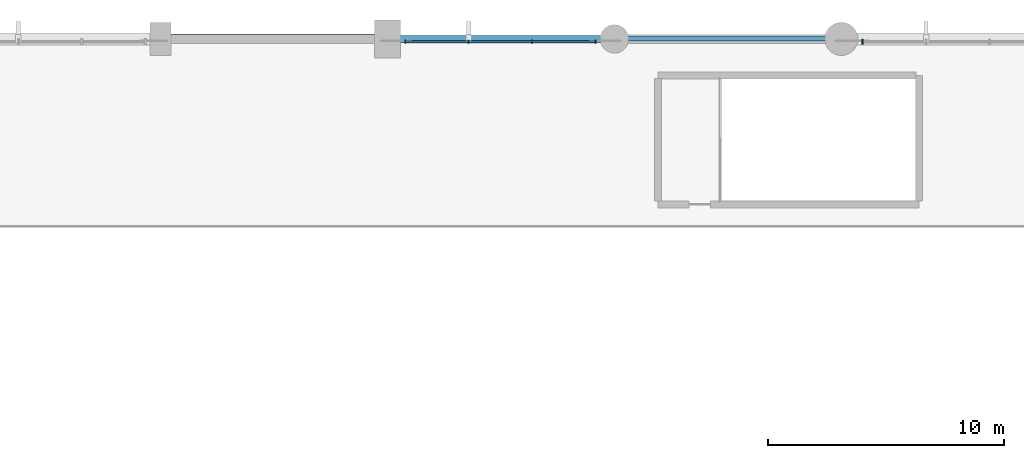
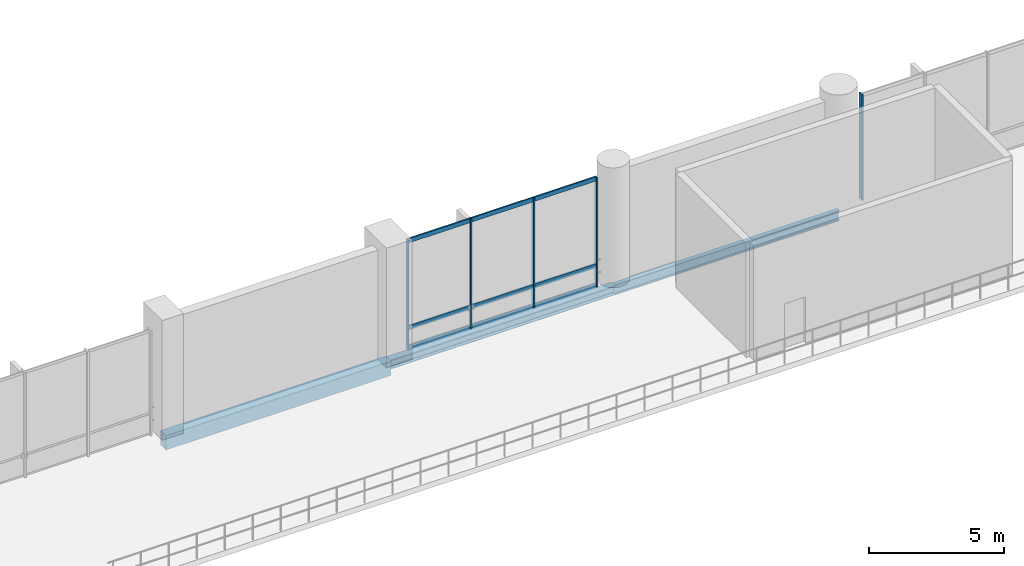
# One storey, part 64 of 129: 8 members, 3 beams, 2 elements without a shape of their own.
"""IFC4 building model written with IfcOpenShell, lengths in metres."""

from ifc_helpers import new_model, si_unit, direction, frame, origin, origin_2d, place, context, subcontext, project, spatial, rectangle, i_section, extrude, material, material_profile, profile_set, type_object, element, aggregate, save


model = new_model("IFC4")

# Units and contexts
model_context = context("Model", 3, precision=1e-05, world=origin(), true_north=direction((0.0, 1.0)))
body_context = subcontext(model_context, "Body", "Model", "MODEL_VIEW")
ifc_project = project(units=[si_unit("LENGTHUNIT", "METRE"), si_unit("AREAUNIT", "SQUARE_METRE"), si_unit("VOLUMEUNIT", "CUBIC_METRE"), si_unit("PLANEANGLEUNIT", "RADIAN"), si_unit("MASSUNIT", "GRAM", prefix="KILO")], contexts=[model_context])

# Site, building, storey
site_placement = place(None, origin())
site = spatial("IfcSite", under=ifc_project, at=site_placement, CompositionType="ELEMENT")
building_placement = place(site_placement, origin())
building = spatial("IfcBuilding", under=site, at=building_placement, Name="Danafjord Basin Convention Centre", CompositionType="ELEMENT")
storey_placement = place(building_placement, frame((0.0, 0.0, 6.0)))
storey = spatial("IfcBuildingStorey", under=building, at=storey_placement, Name="L01", CompositionType="ELEMENT", Elevation=6.0)

# Beams
ifc_material_1 = material(Name="Steel S355", Category="steel")
ifc_material_profile_1 = material_profile(ifc_material_1, i_section(OverallWidth=0.300048828125, OverallDepth=0.39990234375, WebThickness=0.013427734375, FlangeThickness=0.02392578125, FilletRadius=0.027099609375, at=origin_2d()), Name="HEB 400")
ifc_profile_set_1 = profile_set([ifc_material_profile_1], Name="Steel S355")
beam_type_1 = type_object("IfcBeamType", Name="BEAM-SP-HEB400", PredefinedType="SPANDREL", material=ifc_profile_set_1)
beam_1_placement = place(storey_placement, frame((38.39990234375, 144.0, -0.449951171875), z_axis=(1.0, 0.0, 0.0), x_axis=(0.0, 1.0, 0.0)))
element("IfcBeam", 1, at=beam_1_placement, inside=storey, type_object=beam_type_1, Name="L01 girder SP-HEB400", PredefinedType="SPANDREL", context=body_context, shape_type="SweptSolid", body=[
    extrude(i_section(OverallWidth=0.300048828125, OverallDepth=0.39990234375, WebThickness=0.013427734375, FlangeThickness=0.02392578125, FilletRadius=0.027099609375, at=origin_2d()), origin(), (0.0, 0.0, 1.0), 9.60009765625),
])
ifc_material_profile_2 = material_profile(ifc_material_1, i_section(OverallWidth=0.18994140625, OverallDepth=0.449951171875, WebThickness=0.009521484375, FlangeThickness=0.0146484375, FilletRadius=0.02099609375, at=origin_2d()), Name="IPE 450")
ifc_profile_set_2 = profile_set([ifc_material_profile_2], Name="Steel S355")
beam_type_2 = type_object("IfcBeamType", Name="BEAM-SP-IPE450", PredefinedType="SPANDREL", material=ifc_profile_set_2)
beam_2_placement = place(storey_placement, frame((48.0, 144.0, -0.47509765625), z_axis=(1.0, 0.0, 0.0), x_axis=(0.0, 1.0, 0.0)))
element("IfcBeam", 2, at=beam_2_placement, inside=storey, type_object=beam_type_2, Name="L01 girder SP-IPE450", PredefinedType="SPANDREL", context=body_context, shape_type="SweptSolid", body=[
    extrude(i_section(OverallWidth=0.18994140625, OverallDepth=0.449951171875, WebThickness=0.009521484375, FlangeThickness=0.0146484375, FilletRadius=0.02099609375, at=origin_2d()), origin(), (0.0, 0.0, 1.0), 9.60009765625),
])
ifc_material_2 = material(Name="Precast concrete C45/55", Category="concrete")
ifc_material_profile_3 = material_profile(ifc_material_2, rectangle(XDim=0.39990234375, YDim=0.64990234375, at=origin_2d()), Name="PCB 400x650")
ifc_profile_set_3 = profile_set([ifc_material_profile_3], Name="Precast concrete C45/55")
beam_type_3 = type_object("IfcBeamType", Name="BEAM-SP-PCB650", PredefinedType="SPANDREL", material=ifc_profile_set_3)
beam_3_placement = place(storey_placement, frame((28.800048828125, 144.0, -0.574951171875), z_axis=(1.0, 0.0, 0.0), x_axis=(0.0, 1.0, 0.0)))
element("IfcBeam", 3, at=beam_3_placement, inside=storey, type_object=beam_type_3, Name="L01 girder SP-PCB650", PredefinedType="SPANDREL", context=body_context, shape_type="SweptSolid", body=[
    extrude(rectangle(XDim=0.39990234375, YDim=0.64990234375, at=origin_2d()), origin(), (0.0, 0.0, 1.0), 9.599853515625),
])

# Curtain wall, members
ifc_material_3 = material(Name="Anodised aluminium and triple glazing", Category="aluminium")
curtain_wall_type = type_object("IfcCurtainWallType", Name="CW-CW-HALL", PredefinedType="NOTDEFINED", material=ifc_material_3)
curtain_wall_1_placement = place(storey_placement, origin())
curtain_wall_1 = element("IfcCurtainWall", 4, at=curtain_wall_1_placement, inside=storey, type_object=curtain_wall_type, Name="L01 CW-HALL unitised curtain wall bay 5", PredefinedType="NOTDEFINED")
ifc_material_4 = material(Name="Anodised aluminium EN AW-6060", Category="aluminium")
ifc_material_profile_4 = material_profile(ifc_material_4, rectangle(XDim=0.06005859375, YDim=0.139892578125, at=origin_2d()), Name="MULL 60x140")
ifc_profile_set_4 = profile_set([ifc_material_profile_4], Name="Anodised aluminium EN AW-6060")
member_type_1 = type_object("IfcMemberType", Name="MEM-ML-140", PredefinedType="MULLION", material=ifc_profile_set_4)
member_1_placement = place(storey_placement, frame((39.14990234375, 143.8798828125, -0.02490234375), z_axis=(0.0, 0.0, 1.0), x_axis=(1.0, 0.0, 0.0)))
member_1 = element("IfcMember", 5, at=member_1_placement, type_object=member_type_1, Name="CW-L01-005 mullion 1", PredefinedType="MULLION", context=body_context, shape_type="SweptSolid", body=[
    extrude(rectangle(XDim=0.06005859375, YDim=0.139892578125, at=origin_2d()), origin(), (0.0, 0.0, 1.0), 4.96484375),
])
member_2_placement = place(storey_placement, frame((41.833251953125, 143.8798828125, -0.02490234375), z_axis=(0.0, 0.0, 1.0), x_axis=(1.0, 0.0, 0.0)))
member_2 = element("IfcMember", 6, at=member_2_placement, type_object=member_type_1, Name="CW-L01-005 mullion 2", PredefinedType="MULLION", context=body_context, shape_type="SweptSolid", body=[
    extrude(rectangle(XDim=0.06005859375, YDim=0.139892578125, at=origin_2d()), origin(), (0.0, 0.0, 1.0), 4.96484375),
])
member_3_placement = place(storey_placement, frame((44.5166015625, 143.8798828125, -0.02490234375), z_axis=(0.0, 0.0, 1.0), x_axis=(1.0, 0.0, 0.0)))
member_3 = element("IfcMember", 7, at=member_3_placement, type_object=member_type_1, Name="CW-L01-005 mullion 3", PredefinedType="MULLION", context=body_context, shape_type="SweptSolid", body=[
    extrude(rectangle(XDim=0.06005859375, YDim=0.139892578125, at=origin_2d()), origin(), (0.0, 0.0, 1.0), 4.96484375),
])
member_4_placement = place(storey_placement, frame((47.199951171875, 143.8798828125, -0.02490234375), z_axis=(0.0, 0.0, 1.0), x_axis=(1.0, 0.0, 0.0)))
member_4 = element("IfcMember", 8, at=member_4_placement, type_object=member_type_1, Name="CW-L01-005 mullion 4", PredefinedType="MULLION", context=body_context, shape_type="SweptSolid", body=[
    extrude(rectangle(XDim=0.06005859375, YDim=0.139892578125, at=origin_2d()), origin(), (0.0, 0.0, 1.0), 4.96484375),
])

# Curtain wall, member
curtain_wall_2_placement = place(storey_placement, origin())
curtain_wall_2 = element("IfcCurtainWall", 9, at=curtain_wall_2_placement, inside=storey, type_object=curtain_wall_type, Name="L01 CW-HALL unitised curtain wall bay 7", PredefinedType="NOTDEFINED")
ifc_material_profile_5 = material_profile(ifc_material_4, rectangle(XDim=0.06494140625, YDim=0.219970703125, at=origin_2d()), Name="MULL 65x220")
ifc_profile_set_5 = profile_set([ifc_material_profile_5], Name="Anodised aluminium EN AW-6060")
member_type_2 = type_object("IfcMemberType", Name="MEM-ML-220", PredefinedType="MULLION", material=ifc_profile_set_5)
member_5_placement = place(storey_placement, frame((58.5, 143.8798828125, -0.02490234375), z_axis=(0.0, 0.0, 1.0), x_axis=(1.0, 0.0, 0.0)))
member_5 = element("IfcMember", 10, at=member_5_placement, type_object=member_type_2, Name="CW-L01-007 mullion 1", PredefinedType="MULLION", context=body_context, shape_type="SweptSolid", body=[
    extrude(rectangle(XDim=0.06494140625, YDim=0.219970703125, at=origin_2d()), origin(), (0.0, 0.0, 1.0), 4.764892578125),
])
aggregate(curtain_wall_2, [member_5])

# Member
ifc_material_profile_6 = material_profile(ifc_material_4, rectangle(XDim=0.06494140625, YDim=0.18994140625, at=origin_2d()), Name="TRAN 65x190")
ifc_profile_set_6 = profile_set([ifc_material_profile_6], Name="Anodised aluminium EN AW-6060")
member_type_3 = type_object("IfcMemberType", Name="MEM-TR-190", PredefinedType="USERDEFINED", material=ifc_profile_set_6)
member_6_placement = place(storey_placement, frame((39.14990234375, 143.8798828125, 0.06005859375), z_axis=(1.0, 0.0, 0.0), x_axis=(0.0, 1.0, 0.0)))
member_6 = element("IfcMember", 11, at=member_6_placement, type_object=member_type_3, Name="CW-L01-005 transom 1", ObjectType="TRANSOM", PredefinedType="USERDEFINED", context=body_context, shape_type="SweptSolid", body=[
    extrude(rectangle(XDim=0.06494140625, YDim=0.18994140625, at=origin_2d()), origin(), (0.0, 0.0, 1.0), 8.050048828125),
])

member_7_placement = place(storey_placement, frame((39.14990234375, 143.8798828125, 0.949951171875), z_axis=(1.0, 0.0, 0.0), x_axis=(0.0, 1.0, 0.0)))
member_7 = element("IfcMember", 12, at=member_7_placement, type_object=member_type_3, Name="CW-L01-005 transom 2", ObjectType="TRANSOM", PredefinedType="USERDEFINED", context=body_context, shape_type="SweptSolid", body=[
    extrude(rectangle(XDim=0.06494140625, YDim=0.18994140625, at=origin_2d()), origin(), (0.0, 0.0, 1.0), 8.050048828125),
])

member_8_placement = place(storey_placement, frame((39.14990234375, 143.8798828125, 4.8701171875), z_axis=(1.0, 0.0, 0.0), x_axis=(0.0, 1.0, 0.0)))
member_8 = element("IfcMember", 13, at=member_8_placement, type_object=member_type_3, Name="CW-L01-005 transom 3", ObjectType="TRANSOM", PredefinedType="USERDEFINED", context=body_context, shape_type="SweptSolid", body=[
    extrude(rectangle(XDim=0.06494140625, YDim=0.18994140625, at=origin_2d()), origin(), (0.0, 0.0, 1.0), 8.050048828125),
])

aggregate(curtain_wall_1, [member_1, member_2, member_3, member_4, member_6, member_7, member_8])

save(model, "model.ifc")
